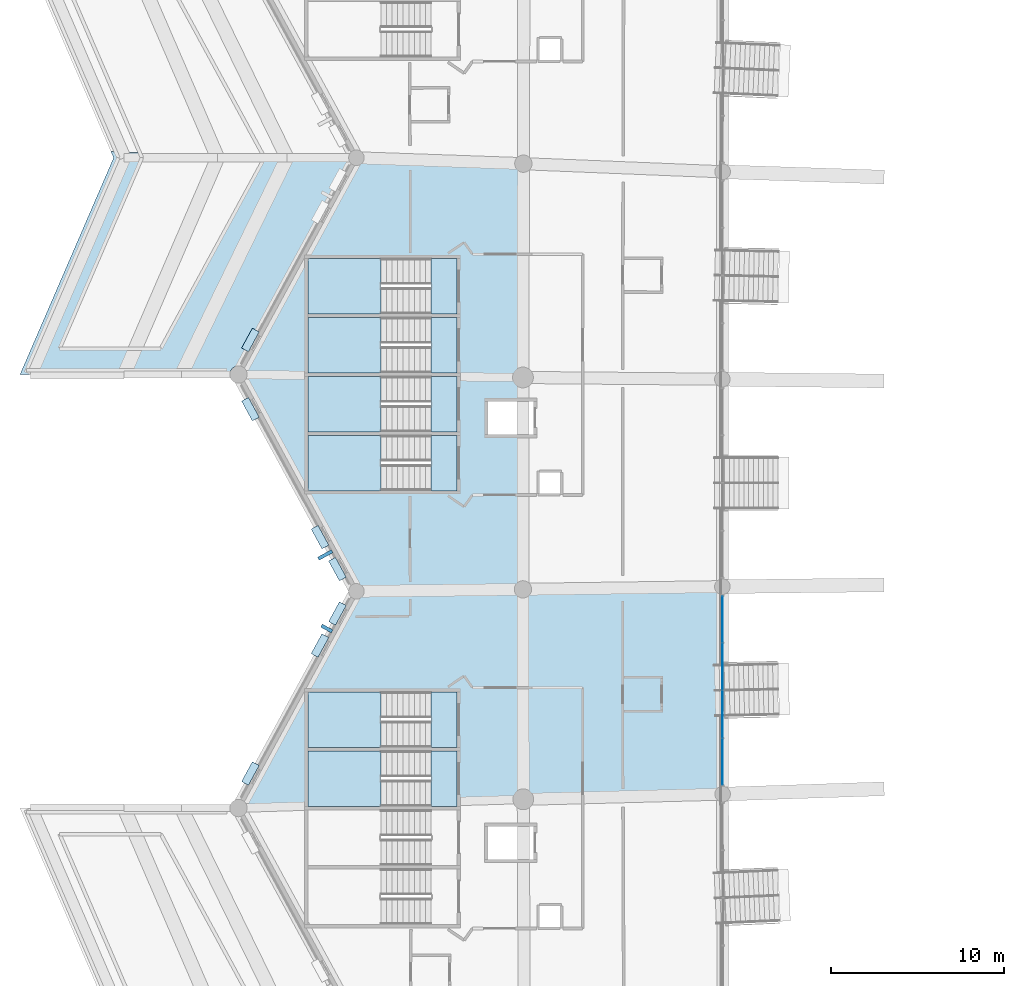
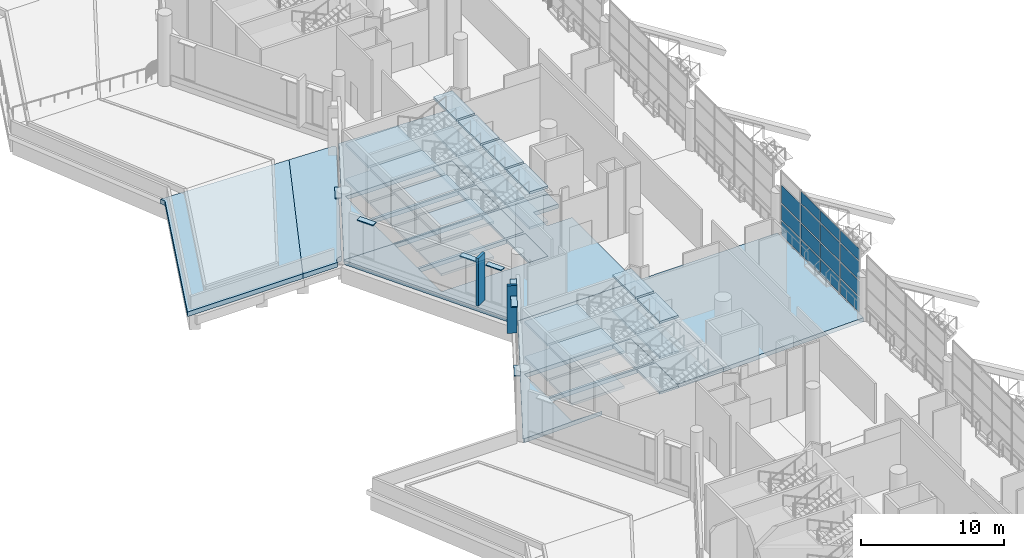
# One storey, part 26 of 173: 36 slabs, 24 plates, 7 elements without a shape of their own.
"""IFC4 building model written with IfcOpenShell, lengths in metres."""

import ifcopenshell
import ifcopenshell.guid

model = None  # the IFC model being written
_history = None  # IfcOwnerHistory: only IFC2X3 demands one
_inside = {}  # id of a spatial element -> (the spatial element, [elements in it])
_under = {}  # id of a project, library or spatial element -> (it, [spatial elements below it])
_declared = {}  # id of a project -> (the project, [libraries it declares])
_typed = {}  # id of a type object -> (the type object, [elements of that type])
_made_of = {}  # id of a material, layer set ... -> (it, [elements and type objects made of it])


def new_model(schema):
    """Start an empty IFC model of exactly this schema.

    Asked for "IFC4X3", IfcOpenShell would pick the latest addendum, in which some entities
    have other attributes; the version numbers below select the first issue.
    IFC2X3 requires an IfcOwnerHistory on every rooted entity: one is made here for all.
    """
    global model, _history
    if schema == "IFC4X3":
        model = ifcopenshell.file(schema_version=(4, 3, 0, 0))
    else:
        model = ifcopenshell.file(schema=schema)
    _inside.clear()
    _under.clear()
    _declared.clear()
    _typed.clear()
    _made_of.clear()
    _history = None
    if model.schema == "IFC2X3":
        org = make("IfcOrganization", Name="unknown")
        user = make(
            "IfcPersonAndOrganization",
            ThePerson=make("IfcPerson", FamilyName="unknown"),
            TheOrganization=org,
        )
        app = make(
            "IfcApplication",
            ApplicationDeveloper=org,
            Version="unknown",
            ApplicationFullName="unknown",
            ApplicationIdentifier="unknown",
        )
        _history = make(
            "IfcOwnerHistory",
            OwningUser=user,
            OwningApplication=app,
            ChangeAction="ADDED",
            CreationDate=0,
        )
    return model


def make(cls, **values):
    """One entity of the class cls with the attributes given. An attribute that is None is left unset."""
    return model.create_entity(
        cls, **{name: value for name, value in values.items() if value is not None}
    )


def rooted(cls, **values):
    """An entity with a GlobalId (a new one), such as an element, a storey or a relation."""
    return make(cls, GlobalId=ifcopenshell.guid.new(), OwnerHistory=_history, **values)


def si_unit(unit_type, name, prefix=None):
    """IfcSIUnit, for example si_unit("LENGTHUNIT", "METRE", prefix="MILLI")."""
    return make("IfcSIUnit", UnitType=unit_type, Prefix=prefix, Name=name)


def assignment(units):
    """IfcUnitAssignment: the units of a project."""
    return None if units is None else make("IfcUnitAssignment", Units=units)


def point(xyz):
    """IfcCartesianPoint."""
    return None if xyz is None else make("IfcCartesianPoint", Coordinates=xyz)


def direction(xyz):
    """IfcDirection."""
    return None if xyz is None else make("IfcDirection", DirectionRatios=xyz)


def frame(location, z_axis=None, x_axis=None):
    """IfcAxis2Placement3D, a coordinate frame: its origin and axes. An axis left out is left unset."""
    return make(
        "IfcAxis2Placement3D",
        Location=point(location),
        Axis=direction(z_axis),
        RefDirection=direction(x_axis),
    )


def frame_2d(location, x_axis=None):
    """IfcAxis2Placement2D, a coordinate frame in the plane: its origin and x axis."""
    return make(
        "IfcAxis2Placement2D", Location=point(location), RefDirection=direction(x_axis)
    )


def origin():
    """The frame at (0, 0, 0) with its axes left unset."""
    return frame((0.0, 0.0, 0.0))


def origin_2d():
    """The frame at (0, 0) in the plane with its x axis left unset."""
    return frame_2d((0.0, 0.0))


def place(relative_to, where):
    """IfcLocalPlacement: puts the frame where relative to a parent placement (None: the world)."""
    return make(
        "IfcLocalPlacement", PlacementRelTo=relative_to, RelativePlacement=where
    )


def context(
    kind, dimensions, precision=None, world=None, true_north=None, identifier=None
):
    """IfcGeometricRepresentationContext, for example the 3D "Model" context."""
    return make(
        "IfcGeometricRepresentationContext",
        ContextIdentifier=identifier,
        ContextType=kind,
        CoordinateSpaceDimension=dimensions,
        Precision=precision,
        WorldCoordinateSystem=world,
        TrueNorth=true_north,
    )


def subcontext(parent, identifier, kind, view, scale=None):
    """IfcGeometricRepresentationSubContext, for example "Body" below "Model"."""
    return make(
        "IfcGeometricRepresentationSubContext",
        ContextIdentifier=identifier,
        ContextType=kind,
        ParentContext=parent,
        TargetScale=scale,
        TargetView=view,
    )


def project(units=None, contexts=None):
    """IfcProject with its units and contexts."""
    return rooted(
        "IfcProject",
        Name="project",
        RepresentationContexts=contexts,
        UnitsInContext=assignment(units),
    )


def spatial(cls, under=None, at=None, **own):
    """A site, building, storey or space (cls), placed at a placement, below another one or the project."""
    s = rooted(cls, ObjectPlacement=at, **own)
    if under is not None:
        _under.setdefault(under.id(), (under, []))[1].append(s)
    return s


def polyline(points):
    """IfcPolyline through the points."""
    return make("IfcPolyline", Points=[point(p) for p in points])


def profile(cls, at=None, kind="AREA", **sizes):
    """A parametric profile (cls). Its sizes go by their IFC names, for example OverallWidth=200.0."""
    return make(cls, ProfileType=kind, Position=at, **sizes)


def rectangle(**sizes):
    """IfcRectangleProfileDef."""
    return profile("IfcRectangleProfileDef", **sizes)


def outline(outer, holes=None, kind="AREA"):
    """IfcArbitraryClosedProfileDef: a profile drawn as a closed curve; with holes, ...WithVoids."""
    if holes is None:
        return make("IfcArbitraryClosedProfileDef", ProfileType=kind, OuterCurve=outer)
    return make(
        "IfcArbitraryProfileDefWithVoids",
        ProfileType=kind,
        OuterCurve=outer,
        InnerCurves=holes,
    )


def extrude(swept, where, along, depth):
    """IfcExtrudedAreaSolid: the profile swept, set in the frame where, extruded along a direction by depth."""
    return make(
        "IfcExtrudedAreaSolid",
        SweptArea=swept,
        Position=where,
        ExtrudedDirection=direction(along),
        Depth=depth,
    )


def shape(context_of_items, identifier, shape_type, items):
    """IfcShapeRepresentation: the items that make up one representation, for example the "Body"."""
    return make(
        "IfcShapeRepresentation",
        ContextOfItems=context_of_items,
        RepresentationIdentifier=identifier,
        RepresentationType=shape_type,
        Items=items,
    )


def material(Name=None, Category=None):
    """IfcMaterial."""
    return make("IfcMaterial", Name=Name, Category=Category)


def layer(
    of_material, thickness, ventilated=None, Name=None, Category=None, Priority=None
):
    """IfcMaterialLayer: one layer of a wall or slab, of a material (None: an air gap)."""
    return make(
        "IfcMaterialLayer",
        Material=of_material,
        LayerThickness=thickness,
        IsVentilated=ventilated,
        Name=Name,
        Category=Category,
        Priority=Priority,
    )


def layer_set(layers, Name=None):
    """IfcMaterialLayerSet."""
    return make("IfcMaterialLayerSet", MaterialLayers=layers, LayerSetName=Name)


def made_of(thing, what):
    """Note that an element or type object is made of a material, layer set ...; save() writes the relation."""
    if what is not None:
        _made_of.setdefault(what.id(), (what, []))[1].append(thing)
    return thing


def type_object(cls, material=None, **own):
    """A type object (cls), such as IfcWallType, which elements share."""
    return made_of(rooted(cls, **own), material)


def element(
    cls,
    number,
    at=None,
    inside=None,
    cuts=None,
    type_object=None,
    material=None,
    context=None,
    identifier="Body",
    shape_type=None,
    held_by="IfcProductDefinitionShape",
    body=None,
    shapes=None,
    **own,
):
    """One element of the class cls, such as IfcWall. Its Tag is "e" and its number.

    at: its placement. inside: the storey or other place that contains it. cuts: it is an
    opening in that element (IfcRelVoidsElement). A single representation is given by context,
    identifier, shape_type and body (its items); several are given by shapes. held_by: the class
    of the entity that holds the representations. save() writes the other relations.
    """
    e = rooted(cls, Tag="e%d" % number, ObjectPlacement=at, **own)
    if body is not None:
        shapes = [shape(context, identifier, shape_type, body)]
    if shapes is not None:
        e.Representation = make(held_by, Representations=shapes)
    if inside is not None:
        _inside.setdefault(inside.id(), (inside, []))[1].append(e)
    if cuts is not None:
        rooted(
            "IfcRelVoidsElement", RelatingBuildingElement=cuts, RelatedOpeningElement=e
        )
    if type_object is not None:
        _typed.setdefault(type_object.id(), (type_object, []))[1].append(e)
    return made_of(e, material)


def aggregate(whole, parts):
    """IfcRelAggregates: a whole, such as a stair, and the parts it consists of."""
    return rooted("IfcRelAggregates", RelatingObject=whole, RelatedObjects=parts)


def save(model, path):
    """Write the relations noted so far, then the file.

    IfcRelAggregates (storeys below a building ...), IfcRelContainedInSpatialStructure (elements
    in a storey), IfcRelDefinesByType, IfcRelAssociatesMaterial and IfcRelDeclares: one each for
    every whole, place, type object, material and project.
    """
    for whole, parts in _under.values():
        aggregate(whole, parts)
    for where, things in _inside.values():
        rooted(
            "IfcRelContainedInSpatialStructure",
            RelatedElements=things,
            RelatingStructure=where,
        )
    for kind, things in _typed.values():
        rooted("IfcRelDefinesByType", RelatedObjects=things, RelatingType=kind)
    for what, things in _made_of.values():
        rooted("IfcRelAssociatesMaterial", RelatedObjects=things, RelatingMaterial=what)
    for by, libraries in _declared.values():
        rooted("IfcRelDeclares", RelatingContext=by, RelatedDefinitions=libraries)
    model.write(path)


model = new_model("IFC4")

# Units and contexts
model_context = context("Model", 3, precision=1e-05, world=origin(), true_north=direction((0.0, 1.0)))
body_context = subcontext(model_context, "Body", "Model", "MODEL_VIEW")
ifc_project = project(units=[si_unit("LENGTHUNIT", "METRE"), si_unit("AREAUNIT", "SQUARE_METRE"), si_unit("VOLUMEUNIT", "CUBIC_METRE"), si_unit("PLANEANGLEUNIT", "RADIAN"), si_unit("MASSUNIT", "GRAM", prefix="KILO")], contexts=[model_context])

# Site, building, storey
site_placement = place(None, origin())
site = spatial("IfcSite", under=ifc_project, at=site_placement, CompositionType="ELEMENT")
building_placement = place(site_placement, origin())
building = spatial("IfcBuilding", under=site, at=building_placement, Name="Meseta Stadium", CompositionType="ELEMENT")
storey_placement = place(building_placement, frame((0.0, 0.0, 18.0)))
storey = spatial("IfcBuildingStorey", under=building, at=storey_placement, Name="L03", CompositionType="ELEMENT", Elevation=18.0)

# Curtain wall, plates
ifc_material_1 = material(Name="Aluminium", Category="aluminium")
ifc_layer_1 = layer(ifc_material_1, 0.25)
ifc_layer_set_1 = layer_set([ifc_layer_1], Name="Media Centre glazing curtain wall")
curtain_wall_type = type_object("IfcCurtainWallType", Name="Media Centre glazing curtain wall", PredefinedType="NOTDEFINED", material=ifc_layer_set_1)
curtain_wall_placement = place(storey_placement, origin())
curtain_wall = element("IfcCurtainWall", 1, at=curtain_wall_placement, inside=storey, type_object=curtain_wall_type, Name="Media Centre glazing bay 33", PredefinedType="NOTDEFINED")
ifc_material_2 = material(Name="Glass", Category="glass")
ifc_layer_2 = layer(ifc_material_2, 0.028076171875)
ifc_layer_set_2 = layer_set([ifc_layer_2], Name="CW glass panel 28")
plate_type_1 = type_object("IfcPlateType", Name="CW glass panel 28", PredefinedType="CURTAIN_PANEL", material=ifc_layer_set_2)
plate_1_placement = place(storey_placement, frame((-73.49560546875, -7.850830078125, 0.1201171875), z_axis=(0.0, 0.0, 1.0), x_axis=(0.001305425729, -0.999999147931, 0.0)))
plate_1 = element("IfcPlate", 2, at=plate_1_placement, type_object=plate_type_1, Name="CWM panel 1.1", PredefinedType="CURTAIN_PANEL", context=body_context, shape_type="SweptSolid", body=[
    extrude(rectangle(XDim=2.6611328125, YDim=0.028076171875, at=origin_2d()), origin(), (0.0, 0.0, 1.0), 1.232421875),
])
plate_2_placement = place(storey_placement, frame((-73.49560546875, -7.850830078125, 1.472412109375), z_axis=(0.0, 0.0, 1.0), x_axis=(0.001305425729, -0.999999147931, 0.0)))
plate_2 = element("IfcPlate", 3, at=plate_2_placement, type_object=plate_type_1, Name="CWM panel 1.2", PredefinedType="CURTAIN_PANEL", context=body_context, shape_type="SweptSolid", body=[
    extrude(rectangle(XDim=2.6611328125, YDim=0.028076171875, at=origin_2d()), origin(), (0.0, 0.0, 1.0), 1.29248046875),
])
plate_3_placement = place(storey_placement, frame((-73.49560546875, -7.850830078125, 2.884765625), z_axis=(0.0, 0.0, 1.0), x_axis=(0.001305425729, -0.999999147931, 0.0)))
plate_3 = element("IfcPlate", 4, at=plate_3_placement, type_object=plate_type_1, Name="CWM panel 1.3", PredefinedType="CURTAIN_PANEL", context=body_context, shape_type="SweptSolid", body=[
    extrude(rectangle(XDim=2.6611328125, YDim=0.028076171875, at=origin_2d()), origin(), (0.0, 0.0, 1.0), 1.522705078125),
])
plate_4_placement = place(storey_placement, frame((-73.491943359375, -10.586669921875, 0.1201171875), z_axis=(0.0, 0.0, 1.0), x_axis=(0.001305425729, -0.999999147931, 0.0)))
plate_4 = element("IfcPlate", 5, at=plate_4_placement, type_object=plate_type_1, Name="CWM panel 2.1", PredefinedType="CURTAIN_PANEL", context=body_context, shape_type="SweptSolid", body=[
    extrude(rectangle(XDim=2.69091796875, YDim=0.028076171875, at=origin_2d()), origin(), (0.0, 0.0, 1.0), 1.232421875),
])
plate_5_placement = place(storey_placement, frame((-73.491943359375, -10.586669921875, 1.472412109375), z_axis=(0.0, 0.0, 1.0), x_axis=(0.001305425729, -0.999999147931, 0.0)))
plate_5 = element("IfcPlate", 6, at=plate_5_placement, type_object=plate_type_1, Name="CWM panel 2.2", PredefinedType="CURTAIN_PANEL", context=body_context, shape_type="SweptSolid", body=[
    extrude(rectangle(XDim=2.69091796875, YDim=0.028076171875, at=origin_2d()), origin(), (0.0, 0.0, 1.0), 1.29248046875),
])
plate_6_placement = place(storey_placement, frame((-73.491943359375, -10.586669921875, 2.884765625), z_axis=(0.0, 0.0, 1.0), x_axis=(0.001305425729, -0.999999147931, 0.0)))
plate_6 = element("IfcPlate", 7, at=plate_6_placement, type_object=plate_type_1, Name="CWM panel 2.3", PredefinedType="CURTAIN_PANEL", context=body_context, shape_type="SweptSolid", body=[
    extrude(rectangle(XDim=2.69091796875, YDim=0.028076171875, at=origin_2d()), origin(), (0.0, 0.0, 1.0), 1.522705078125),
])
plate_7_placement = place(storey_placement, frame((-73.491943359375, -10.586669921875, 4.52783203125), z_axis=(0.0, 0.0, 1.0), x_axis=(0.001305425729, -0.999999147931, 0.0)))
plate_7 = element("IfcPlate", 8, at=plate_7_placement, type_object=plate_type_1, Name="CWM panel 2.4", PredefinedType="CURTAIN_PANEL", context=body_context, shape_type="SweptSolid", body=[
    extrude(rectangle(XDim=2.69091796875, YDim=0.028076171875, at=origin_2d()), origin(), (0.0, 0.0, 1.0), 1.002197265625),
])
plate_8_placement = place(storey_placement, frame((-73.488525390625, -13.337890625, 0.1201171875), z_axis=(0.0, 0.0, 1.0), x_axis=(0.001305425729, -0.999999147931, 0.0)))
plate_8 = element("IfcPlate", 9, at=plate_8_placement, type_object=plate_type_1, Name="CWM panel 3.1", PredefinedType="CURTAIN_PANEL", context=body_context, shape_type="SweptSolid", body=[
    extrude(rectangle(XDim=2.69091796875, YDim=0.028076171875, at=origin_2d()), origin(), (0.0, 0.0, 1.0), 1.232421875),
])
plate_9_placement = place(storey_placement, frame((-73.488525390625, -13.337890625, 1.472412109375), z_axis=(0.0, 0.0, 1.0), x_axis=(0.001305425729, -0.999999147931, 0.0)))
plate_9 = element("IfcPlate", 10, at=plate_9_placement, type_object=plate_type_1, Name="CWM panel 3.2", PredefinedType="CURTAIN_PANEL", context=body_context, shape_type="SweptSolid", body=[
    extrude(rectangle(XDim=2.69091796875, YDim=0.028076171875, at=origin_2d()), origin(), (0.0, 0.0, 1.0), 1.29248046875),
])
plate_10_placement = place(storey_placement, frame((-73.488525390625, -13.337890625, 2.884765625), z_axis=(0.0, 0.0, 1.0), x_axis=(0.001305425729, -0.999999147931, 0.0)))
plate_10 = element("IfcPlate", 11, at=plate_10_placement, type_object=plate_type_1, Name="CWM panel 3.3", PredefinedType="CURTAIN_PANEL", context=body_context, shape_type="SweptSolid", body=[
    extrude(rectangle(XDim=2.69091796875, YDim=0.028076171875, at=origin_2d()), origin(), (0.0, 0.0, 1.0), 1.522705078125),
])
plate_11_placement = place(storey_placement, frame((-73.488525390625, -13.337890625, 4.52783203125), z_axis=(0.0, 0.0, 1.0), x_axis=(0.001305425729, -0.999999147931, 0.0)))
plate_11 = element("IfcPlate", 12, at=plate_11_placement, type_object=plate_type_1, Name="CWM panel 3.4", PredefinedType="CURTAIN_PANEL", context=body_context, shape_type="SweptSolid", body=[
    extrude(rectangle(XDim=2.69091796875, YDim=0.028076171875, at=origin_2d()), origin(), (0.0, 0.0, 1.0), 1.002197265625),
])
plate_12_placement = place(storey_placement, frame((-73.48486328125, -16.07373046875, 0.1201171875), z_axis=(0.0, 0.0, 1.0), x_axis=(0.001305425729, -0.999999147931, 0.0)))
plate_12 = element("IfcPlate", 13, at=plate_12_placement, type_object=plate_type_1, Name="CWM panel 4.1", PredefinedType="CURTAIN_PANEL", context=body_context, shape_type="SweptSolid", body=[
    extrude(rectangle(XDim=2.6611328125, YDim=0.028076171875, at=origin_2d()), origin(), (0.0, 0.0, 1.0), 1.232421875),
])
plate_13_placement = place(storey_placement, frame((-73.48486328125, -16.07373046875, 1.472412109375), z_axis=(0.0, 0.0, 1.0), x_axis=(0.001305425729, -0.999999147931, 0.0)))
plate_13 = element("IfcPlate", 14, at=plate_13_placement, type_object=plate_type_1, Name="CWM panel 4.2", PredefinedType="CURTAIN_PANEL", context=body_context, shape_type="SweptSolid", body=[
    extrude(rectangle(XDim=2.6611328125, YDim=0.028076171875, at=origin_2d()), origin(), (0.0, 0.0, 1.0), 1.29248046875),
])
plate_14_placement = place(storey_placement, frame((-73.48486328125, -16.07373046875, 2.884765625), z_axis=(0.0, 0.0, 1.0), x_axis=(0.001305425729, -0.999999147931, 0.0)))
plate_14 = element("IfcPlate", 15, at=plate_14_placement, type_object=plate_type_1, Name="CWM panel 4.3", PredefinedType="CURTAIN_PANEL", context=body_context, shape_type="SweptSolid", body=[
    extrude(rectangle(XDim=2.6611328125, YDim=0.028076171875, at=origin_2d()), origin(), (0.0, 0.0, 1.0), 1.522705078125),
])
plate_15_placement = place(storey_placement, frame((-73.48486328125, -16.07373046875, 4.52783203125), z_axis=(0.0, 0.0, 1.0), x_axis=(0.001305425729, -0.999999147931, 0.0)))
plate_15 = element("IfcPlate", 16, at=plate_15_placement, type_object=plate_type_1, Name="CWM panel 4.4", PredefinedType="CURTAIN_PANEL", context=body_context, shape_type="SweptSolid", body=[
    extrude(rectangle(XDim=2.6611328125, YDim=0.028076171875, at=origin_2d()), origin(), (0.0, 0.0, 1.0), 1.002197265625),
])
aggregate(curtain_wall, [plate_1, plate_2, plate_3, plate_4, plate_5, plate_6, plate_7, plate_8, plate_9, plate_10, plate_11, plate_12, plate_13, plate_14, plate_15])

# Slabs
ifc_material_3 = material(Name="Concrete C40/50", Category="concrete")
ifc_layer_3 = layer(ifc_material_3, 0.35009765625)
ifc_layer_set_3 = layer_set([ifc_layer_3], Name="Floor slab 350")
slab_type_1 = type_object("IfcSlabType", Name="Floor slab 350", PredefinedType="FLOOR", material=ifc_layer_set_3)
slab_1_placement = place(storey_placement, frame((0.0, 0.0, -0.35009765625)))
element("IfcSlab", 17, at=slab_1_placement, inside=storey, type_object=slab_type_1, Name="Floor slab L03 sector 28 panel 01", PredefinedType="FLOOR", context=body_context, shape_type="SweptSolid", body=[
    extrude(outline(polyline([(-88.8798828125, 6.14990234375), (-101.3798828125, 6.287109375), (-101.39990234375, 6.25), (-94.6201171875, -6.212890625), (-84.9970703125, -6.107421875), (-84.997314453125, 2.800048828125), (-87.0, 2.800048828125), (-87.0, 4.699951171875), (-84.99755859375, 4.699951171875), (-84.99755859375, 6.107421875), (-88.800048828125, 6.149169921875), (-88.800048828125, 2.949951171875), (-97.39990234375, 2.949951171875), (-97.39990234375, 6.14990234375), (-88.8798828125, 6.14990234375)]), holes=[polyline([(-88.800048828125, 2.75), (-88.800048828125, -0.449951171875), (-97.39990234375, -0.449951171875), (-97.39990234375, 2.75), (-88.800048828125, 2.75)])]), origin(), (0.0, 0.0, 1.0), 0.35009765625),
])
slab_2_placement = place(storey_placement, frame((0.0, 0.0, -0.35009765625)))
element("IfcSlab", 18, at=slab_2_placement, inside=storey, type_object=slab_type_1, Name="Floor slab L03 sector 28 panel 05", PredefinedType="FLOOR", context=body_context, shape_type="SweptSolid", body=[
    extrude(outline(polyline([(-84.9970703125, -6.107421875), (-94.6201171875, -6.212890625), (-94.60009765625, -6.25), (-101.39990234375, -18.75), (-101.340087890625, -18.85986328125), (-94.9599609375, -18.64990234375), (-97.39990234375, -18.64990234375), (-97.39990234375, -15.449951171875), (-88.800048828125, -15.449951171875), (-88.800048828125, -18.447509765625), (-84.978515625, -18.32177734375), (-84.9970703125, -6.107421875)]), holes=[polyline([(-88.800048828125, -12.050048828125), (-88.800048828125, -15.25), (-97.39990234375, -15.25), (-97.39990234375, -12.050048828125), (-88.800048828125, -12.050048828125)])]), origin(), (0.0, 0.0, 1.0), 0.35009765625),
])
slab_3_placement = place(storey_placement, frame((0.0, 0.0, -0.35009765625)))
element("IfcSlab", 19, at=slab_3_placement, inside=storey, type_object=slab_type_1, Name="Floor slab L03 sector 28 panel 07", PredefinedType="FLOOR", context=body_context, shape_type="SweptSolid", body=[
    extrude(outline(polyline([(-88.800048828125, 6.14990234375), (-88.800048828125, 6.149169921875), (-84.99755859375, 6.107421875), (-84.97314453125, 18.41064453125), (-94.60009765625, 18.75), (-101.3798828125, 6.287109375), (-88.8798828125, 6.14990234375), (-88.800048828125, 6.14990234375)]), holes=[polyline([(-88.800048828125, 6.35009765625), (-97.39990234375, 6.35009765625), (-97.39990234375, 9.550048828125), (-88.800048828125, 9.550048828125), (-88.800048828125, 6.35009765625)]), polyline([(-88.800048828125, 9.75), (-97.39990234375, 9.75), (-97.39990234375, 12.949951171875), (-88.800048828125, 12.949951171875), (-88.800048828125, 9.75)])]), origin(), (0.0, 0.0, 1.0), 0.35009765625),
])
slab_4_placement = place(storey_placement, frame((0.0, 0.0, -0.35009765625)))
element("IfcSlab", 20, at=slab_4_placement, inside=storey, type_object=slab_type_1, Name="Floor slab L03 sector 28 panel 09", PredefinedType="FLOOR", context=body_context, shape_type="SweptSolid", body=[
    extrude(outline(polyline([(-73.482421875, -17.943603515625), (-73.489501953125, -13.956298828125), (-73.498046875, -5.981201171875), (-84.9970703125, -6.107421875), (-84.978271484375, -18.32177734375), (-73.482421875, -17.943603515625)])), origin(), (0.0, 0.0, 1.0), 0.35009765625),
])

# Plates
ifc_material_4 = material(Name="White precast concrete C40/50", Category="concrete")
ifc_layer_4 = layer(ifc_material_4, 0.080078125)
ifc_layer_set_4 = layer_set([ifc_layer_4], Name="Louvre hood 1300x450")
plate_type_2 = type_object("IfcPlateType", Name="Louvre hood 1300x450", PredefinedType="USERDEFINED", material=ifc_layer_set_4)
for number, where, z_axis, x_axis, name in (
    (21, (-100.713623046875, 8.244384765625, 4.25), (0.0, 0.0, 1.0), (-0.477867090202, -0.878432151109, 0.0), "Louvre hood L03 F31"),
    (22, (-95.696044921875, -4.9677734375, 4.25), (0.0, 0.0, 1.0), (0.477867090202, -0.878432151109, 0.0), "Louvre hood L03 F32"),
    (23, (-96.699462890625, -3.123046875, 4.25), (0.0, 0.0, 1.0), (0.477867090202, -0.878432151109, 0.0), "Louvre hood L03 F32"),
    (24, (-100.713623046875, 4.255615234375, 4.25), (0.0, 0.0, 1.0), (0.477867090202, -0.878432151109, 0.0), "Louvre hood L03 F32"),
    (25, (-95.696044921875, -7.5322265625, 4.25), (0.0, 0.0, 1.0), (-0.477867090202, -0.878432151109, 0.0), "Louvre hood L03 F33"),
    (26, (-96.699462890625, -9.376953125, 4.25), (0.0, 0.0, 1.0), (-0.477867090202, -0.878432151109, 0.0), "Louvre hood L03 F33"),
    (27, (-100.713623046875, -16.755615234375, 4.25), (0.0, 0.0, 1.0), (-0.477867090202, -0.878432151109, 0.0), "Louvre hood L03 F33"),
):
    element("IfcPlate", number, at=place(storey_placement, frame(where, z_axis=z_axis, x_axis=x_axis)), inside=storey, type_object=plate_type_2, Name=name, ObjectType="LOUVRE", PredefinedType="USERDEFINED", context=body_context, shape_type="SweptSolid", body=[
        extrude(rectangle(XDim=1.300048828125, YDim=0.449951171875, at=origin_2d()), origin(), (0.0, 0.0, 1.0), 0.080078125),
    ])
ifc_material_5 = material(Name="Precast concrete C40/50, terracotta pigment", Category="masonry")
ifc_layer_5 = layer(ifc_material_5, 0.199951171875)
ifc_layer_set_5 = layer_set([ifc_layer_5], Name="Precast concrete C40/50, terracotta pigment")
plate_type_3 = type_object("IfcPlateType", Name="Precast fin 200x700", PredefinedType="USERDEFINED", material=ifc_layer_set_5)
plate_16_placement = place(storey_placement, frame((-96.3076171875, -8.394775390625, 0.9501953125), z_axis=(0.0, 0.0, 1.0), x_axis=(0.47786723231, 0.878432073802, 0.0)))
element("IfcPlate", 28, at=plate_16_placement, inside=storey, type_object=plate_type_3, Name="Precast fin L03 F33.2", ObjectType="FIN", PredefinedType="USERDEFINED", context=body_context, shape_type="SweptSolid", body=[
    extrude(rectangle(XDim=0.199951171875, YDim=0.699951171875, at=origin_2d()), origin(), (0.0, 0.0, 1.0), 4.050048828125),
])
ifc_material_6 = material(Name="Precast concrete C40/50, terracotta pigment", Category="masonry")
ifc_layer_6 = layer(ifc_material_6, 0.199951171875)
ifc_layer_set_6 = layer_set([ifc_layer_6], Name="Precast concrete C40/50, terracotta pigment")
plate_type_4 = type_object("IfcPlateType", Name="Precast fin 200x900", PredefinedType="USERDEFINED", material=ifc_layer_set_6)
plate_17_placement = place(storey_placement, frame((-96.395263671875, -4.153076171875, 0.9501953125), z_axis=(0.0, 0.0, 1.0), x_axis=(-0.47786723231, 0.878432073802, 0.0)))
element("IfcPlate", 29, at=plate_17_placement, inside=storey, type_object=plate_type_4, Name="Precast fin L03 F32.1", ObjectType="FIN", PredefinedType="USERDEFINED", context=body_context, shape_type="SweptSolid", body=[
    extrude(rectangle(XDim=0.199951171875, YDim=0.89990234375, at=origin_2d()), origin(), (0.0, 0.0, 1.0), 4.050048828125),
])

# Slabs
ifc_material_7 = material(Name="Concrete C40/50", Category="concrete")
ifc_layer_7 = layer(ifc_material_7, 0.39990234375)
ifc_layer_set_7 = layer_set([ifc_layer_7], Name="Roof garden slab 400")
slab_type_2 = type_object("IfcSlabType", Name="Roof garden slab 400", PredefinedType="ROOF", material=ifc_layer_set_7)
slab_5_placement = place(storey_placement, frame((0.0, 0.0, -0.39990234375)))
element("IfcSlab", 30, at=slab_5_placement, inside=storey, type_object=slab_type_2, Name="Roof garden slab 4 part 1 panel 01", PredefinedType="ROOF", context=body_context, shape_type="SweptSolid", body=[
    extrude(outline(polyline([(-104.699951171875, 6.25), (-98.590576171875, 18.769287109375), (-108.752685546875, 19.103759765625), (-108.60009765625, 18.75), (-114.0, 6.25), (-104.699951171875, 6.25)])), origin(), (0.0, 0.0, 1.0), 0.39990234375),
])
slab_6_placement = place(storey_placement, frame((0.0, 0.0, -0.39990234375)))
element("IfcSlab", 31, at=slab_6_placement, inside=storey, type_object=slab_type_2, Name="Roof garden slab 4 part 1 panel 05", PredefinedType="ROOF", context=body_context, shape_type="SweptSolid", body=[
    extrude(outline(polyline([(-98.590576171875, 18.769287109375), (-104.699951171875, 6.25), (-101.904296875, 6.25), (-101.88720703125, 6.380615234375), (-101.836669921875, 6.502197265625), (-101.756591796875, 6.606689453125), (-101.652099609375, 6.686767578125), (-101.530517578125, 6.737060546875), (-101.39990234375, 6.75439453125), (-101.30322265625, 6.74169921875), (-94.935302734375, 18.44775390625), (-94.9931640625, 18.523193359375), (-95.038330078125, 18.632568359375), (-95.041015625, 18.652587890625), (-98.590576171875, 18.769287109375)])), origin(), (0.0, 0.0, 1.0), 0.39990234375),
])

# Stair, slabs
ifc_material_8 = material(Name="Concrete C40/50", Category="concrete")
stair_type = type_object("IfcStairType", Name="Exit stair 4 flights 150 mm risers", PredefinedType="HALF_TURN_STAIR", material=ifc_material_8)
stair_1_placement = place(storey_placement, origin())
stair_1 = element("IfcStair", 32, at=stair_1_placement, inside=storey, type_object=stair_type, Name="ST65 L03", PredefinedType="HALF_TURN_STAIR")
ifc_material_9 = material(Name="Concrete C40/50", Category="concrete")
ifc_layer_8 = layer(ifc_material_9, 0.199951171875)
ifc_layer_set_8 = layer_set([ifc_layer_8], Name="Stair landing 200")
slab_type_3 = type_object("IfcSlabType", Name="Stair landing 200", PredefinedType="LANDING", material=ifc_layer_set_8)
slab_7_placement = place(storey_placement, frame((0.0, 0.0, 1.300048828125)))
slab_7 = element("IfcSlab", 33, at=slab_7_placement, type_object=slab_type_3, Name="ST65 L03 landing 1", PredefinedType="LANDING", context=body_context, shape_type="SweptSolid", body=[
    extrude(outline(polyline([(-93.169921875, 12.949951171875), (-97.39990234375, 12.949951171875), (-97.39990234375, 9.75), (-93.169921875, 9.75), (-93.169921875, 12.949951171875)])), origin(), (0.0, 0.0, 1.0), 0.199951171875),
])
slab_8_placement = place(storey_placement, frame((0.0, 0.0, 2.800048828125)))
slab_8 = element("IfcSlab", 34, at=slab_8_placement, type_object=slab_type_3, Name="ST65 L03 landing 2", PredefinedType="LANDING", context=body_context, shape_type="SweptSolid", body=[
    extrude(outline(polyline([(-88.800048828125, 12.949951171875), (-90.31005859375, 12.949951171875), (-90.31005859375, 9.75), (-88.800048828125, 9.75), (-88.800048828125, 12.949951171875)])), origin(), (0.0, 0.0, 1.0), 0.199951171875),
])
slab_9_placement = place(storey_placement, frame((0.0, 0.0, 4.300048828125)))
slab_9 = element("IfcSlab", 35, at=slab_9_placement, type_object=slab_type_3, Name="ST65 L03 landing 3", PredefinedType="LANDING", context=body_context, shape_type="SweptSolid", body=[
    extrude(outline(polyline([(-93.169921875, 12.949951171875), (-97.39990234375, 12.949951171875), (-97.39990234375, 9.75), (-93.169921875, 9.75), (-93.169921875, 12.949951171875)])), origin(), (0.0, 0.0, 1.0), 0.199951171875),
])
slab_10_placement = place(storey_placement, frame((0.0, 0.0, -0.199951171875)))
slab_10 = element("IfcSlab", 36, at=slab_10_placement, type_object=slab_type_3, Name="ST65 L03 landing 4", PredefinedType="LANDING", context=body_context, shape_type="SweptSolid", body=[
    extrude(outline(polyline([(-88.800048828125, 12.949951171875), (-90.31005859375, 12.949951171875), (-90.31005859375, 9.75), (-88.800048828125, 9.75), (-88.800048828125, 12.949951171875)])), origin(), (0.0, 0.0, 1.0), 0.199951171875),
])
slab_11_placement = place(storey_placement, frame((0.0, 0.0, 5.800048828125)))
slab_11 = element("IfcSlab", 37, at=slab_11_placement, type_object=slab_type_3, Name="ST65 L03 landing 5", PredefinedType="LANDING", context=body_context, shape_type="SweptSolid", body=[
    extrude(outline(polyline([(-88.800048828125, 12.949951171875), (-90.31005859375, 12.949951171875), (-90.31005859375, 9.75), (-88.800048828125, 9.75), (-88.800048828125, 12.949951171875)])), origin(), (0.0, 0.0, 1.0), 0.199951171875),
])
aggregate(stair_1, [slab_7, slab_8, slab_9, slab_10, slab_11])

stair_2_placement = place(storey_placement, origin())
stair_2 = element("IfcStair", 38, at=stair_2_placement, inside=storey, type_object=stair_type, Name="ST66 L03", PredefinedType="HALF_TURN_STAIR")
slab_12_placement = place(storey_placement, frame((0.0, 0.0, 1.300048828125)))
slab_12 = element("IfcSlab", 39, at=slab_12_placement, type_object=slab_type_3, Name="ST66 L03 landing 1", PredefinedType="LANDING", context=body_context, shape_type="SweptSolid", body=[
    extrude(outline(polyline([(-93.169921875, 9.550048828125), (-97.39990234375, 9.550048828125), (-97.39990234375, 6.35009765625), (-93.169921875, 6.35009765625), (-93.169921875, 9.550048828125)])), origin(), (0.0, 0.0, 1.0), 0.199951171875),
])
slab_13_placement = place(storey_placement, frame((0.0, 0.0, 2.800048828125)))
slab_13 = element("IfcSlab", 40, at=slab_13_placement, type_object=slab_type_3, Name="ST66 L03 landing 2", PredefinedType="LANDING", context=body_context, shape_type="SweptSolid", body=[
    extrude(outline(polyline([(-88.800048828125, 9.550048828125), (-90.31005859375, 9.550048828125), (-90.31005859375, 6.35009765625), (-88.800048828125, 6.35009765625), (-88.800048828125, 9.550048828125)])), origin(), (0.0, 0.0, 1.0), 0.199951171875),
])
slab_14_placement = place(storey_placement, frame((0.0, 0.0, 4.300048828125)))
slab_14 = element("IfcSlab", 41, at=slab_14_placement, type_object=slab_type_3, Name="ST66 L03 landing 3", PredefinedType="LANDING", context=body_context, shape_type="SweptSolid", body=[
    extrude(outline(polyline([(-93.169921875, 9.550048828125), (-97.39990234375, 9.550048828125), (-97.39990234375, 6.35009765625), (-93.169921875, 6.35009765625), (-93.169921875, 9.550048828125)])), origin(), (0.0, 0.0, 1.0), 0.199951171875),
])
slab_15_placement = place(storey_placement, frame((0.0, 0.0, -0.199951171875)))
slab_15 = element("IfcSlab", 42, at=slab_15_placement, type_object=slab_type_3, Name="ST66 L03 landing 4", PredefinedType="LANDING", context=body_context, shape_type="SweptSolid", body=[
    extrude(outline(polyline([(-88.800048828125, 9.550048828125), (-90.31005859375, 9.550048828125), (-90.31005859375, 6.35009765625), (-88.800048828125, 6.35009765625), (-88.800048828125, 9.550048828125)])), origin(), (0.0, 0.0, 1.0), 0.199951171875),
])
slab_16_placement = place(storey_placement, frame((0.0, 0.0, 5.800048828125)))
slab_16 = element("IfcSlab", 43, at=slab_16_placement, type_object=slab_type_3, Name="ST66 L03 landing 5", PredefinedType="LANDING", context=body_context, shape_type="SweptSolid", body=[
    extrude(outline(polyline([(-88.800048828125, 9.550048828125), (-90.31005859375, 9.550048828125), (-90.31005859375, 6.35009765625), (-88.800048828125, 6.35009765625), (-88.800048828125, 9.550048828125)])), origin(), (0.0, 0.0, 1.0), 0.199951171875),
])
aggregate(stair_2, [slab_12, slab_13, slab_14, slab_15, slab_16])

stair_3_placement = place(storey_placement, origin())
stair_3 = element("IfcStair", 44, at=stair_3_placement, inside=storey, type_object=stair_type, Name="ST67 L03", PredefinedType="HALF_TURN_STAIR")
slab_17_placement = place(storey_placement, frame((0.0, 0.0, 1.300048828125)))
slab_17 = element("IfcSlab", 45, at=slab_17_placement, type_object=slab_type_3, Name="ST67 L03 landing 1", PredefinedType="LANDING", context=body_context, shape_type="SweptSolid", body=[
    extrude(outline(polyline([(-93.169921875, 6.14990234375), (-97.39990234375, 6.14990234375), (-97.39990234375, 2.949951171875), (-93.169921875, 2.949951171875), (-93.169921875, 6.14990234375)])), origin(), (0.0, 0.0, 1.0), 0.199951171875),
])
slab_18_placement = place(storey_placement, frame((0.0, 0.0, 2.800048828125)))
slab_18 = element("IfcSlab", 46, at=slab_18_placement, type_object=slab_type_3, Name="ST67 L03 landing 2", PredefinedType="LANDING", context=body_context, shape_type="SweptSolid", body=[
    extrude(outline(polyline([(-88.800048828125, 6.14990234375), (-90.31005859375, 6.14990234375), (-90.31005859375, 2.949951171875), (-88.800048828125, 2.949951171875), (-88.800048828125, 6.14990234375)])), origin(), (0.0, 0.0, 1.0), 0.199951171875),
])
slab_19_placement = place(storey_placement, frame((0.0, 0.0, 4.300048828125)))
slab_19 = element("IfcSlab", 47, at=slab_19_placement, type_object=slab_type_3, Name="ST67 L03 landing 3", PredefinedType="LANDING", context=body_context, shape_type="SweptSolid", body=[
    extrude(outline(polyline([(-93.169921875, 6.14990234375), (-97.39990234375, 6.14990234375), (-97.39990234375, 2.949951171875), (-93.169921875, 2.949951171875), (-93.169921875, 6.14990234375)])), origin(), (0.0, 0.0, 1.0), 0.199951171875),
])
slab_20_placement = place(storey_placement, frame((0.0, 0.0, -0.199951171875)))
slab_20 = element("IfcSlab", 48, at=slab_20_placement, type_object=slab_type_3, Name="ST67 L03 landing 4", PredefinedType="LANDING", context=body_context, shape_type="SweptSolid", body=[
    extrude(outline(polyline([(-88.800048828125, 6.14990234375), (-90.31005859375, 6.14990234375), (-90.31005859375, 2.949951171875), (-88.800048828125, 2.949951171875), (-88.800048828125, 6.14990234375)])), origin(), (0.0, 0.0, 1.0), 0.199951171875),
])
slab_21_placement = place(storey_placement, frame((0.0, 0.0, 5.800048828125)))
slab_21 = element("IfcSlab", 49, at=slab_21_placement, type_object=slab_type_3, Name="ST67 L03 landing 5", PredefinedType="LANDING", context=body_context, shape_type="SweptSolid", body=[
    extrude(outline(polyline([(-88.800048828125, 6.14990234375), (-90.31005859375, 6.14990234375), (-90.31005859375, 2.949951171875), (-88.800048828125, 2.949951171875), (-88.800048828125, 6.14990234375)])), origin(), (0.0, 0.0, 1.0), 0.199951171875),
])
aggregate(stair_3, [slab_17, slab_18, slab_19, slab_20, slab_21])

stair_4_placement = place(storey_placement, origin())
stair_4 = element("IfcStair", 50, at=stair_4_placement, inside=storey, type_object=stair_type, Name="ST68 L03", PredefinedType="HALF_TURN_STAIR")
slab_22_placement = place(storey_placement, frame((0.0, 0.0, 1.300048828125)))
slab_22 = element("IfcSlab", 51, at=slab_22_placement, type_object=slab_type_3, Name="ST68 L03 landing 1", PredefinedType="LANDING", context=body_context, shape_type="SweptSolid", body=[
    extrude(outline(polyline([(-93.169921875, 2.75), (-97.39990234375, 2.75), (-97.39990234375, -0.449951171875), (-93.169921875, -0.449951171875), (-93.169921875, 2.75)])), origin(), (0.0, 0.0, 1.0), 0.199951171875),
])
slab_23_placement = place(storey_placement, frame((0.0, 0.0, 2.800048828125)))
slab_23 = element("IfcSlab", 52, at=slab_23_placement, type_object=slab_type_3, Name="ST68 L03 landing 2", PredefinedType="LANDING", context=body_context, shape_type="SweptSolid", body=[
    extrude(outline(polyline([(-88.800048828125, 2.75), (-90.31005859375, 2.75), (-90.31005859375, -0.449951171875), (-88.800048828125, -0.449951171875), (-88.800048828125, 2.75)])), origin(), (0.0, 0.0, 1.0), 0.199951171875),
])
slab_24_placement = place(storey_placement, frame((0.0, 0.0, 4.300048828125)))
slab_24 = element("IfcSlab", 53, at=slab_24_placement, type_object=slab_type_3, Name="ST68 L03 landing 3", PredefinedType="LANDING", context=body_context, shape_type="SweptSolid", body=[
    extrude(outline(polyline([(-93.169921875, 2.75), (-97.39990234375, 2.75), (-97.39990234375, -0.449951171875), (-93.169921875, -0.449951171875), (-93.169921875, 2.75)])), origin(), (0.0, 0.0, 1.0), 0.199951171875),
])
slab_25_placement = place(storey_placement, frame((0.0, 0.0, -0.199951171875)))
slab_25 = element("IfcSlab", 54, at=slab_25_placement, type_object=slab_type_3, Name="ST68 L03 landing 4", PredefinedType="LANDING", context=body_context, shape_type="SweptSolid", body=[
    extrude(outline(polyline([(-88.800048828125, 2.75), (-90.31005859375, 2.75), (-90.31005859375, -0.449951171875), (-88.800048828125, -0.449951171875), (-88.800048828125, 2.75)])), origin(), (0.0, 0.0, 1.0), 0.199951171875),
])
slab_26_placement = place(storey_placement, frame((0.0, 0.0, 5.800048828125)))
slab_26 = element("IfcSlab", 55, at=slab_26_placement, type_object=slab_type_3, Name="ST68 L03 landing 5", PredefinedType="LANDING", context=body_context, shape_type="SweptSolid", body=[
    extrude(outline(polyline([(-88.800048828125, 2.75), (-90.31005859375, 2.75), (-90.31005859375, -0.449951171875), (-88.800048828125, -0.449951171875), (-88.800048828125, 2.75)])), origin(), (0.0, 0.0, 1.0), 0.199951171875),
])
aggregate(stair_4, [slab_22, slab_23, slab_24, slab_25, slab_26])

stair_5_placement = place(storey_placement, origin())
stair_5 = element("IfcStair", 56, at=stair_5_placement, inside=storey, type_object=stair_type, Name="ST69 L03", PredefinedType="HALF_TURN_STAIR")
slab_27_placement = place(storey_placement, frame((0.0, 0.0, 1.300048828125)))
slab_27 = element("IfcSlab", 57, at=slab_27_placement, type_object=slab_type_3, Name="ST69 L03 landing 1", PredefinedType="LANDING", context=body_context, shape_type="SweptSolid", body=[
    extrude(outline(polyline([(-93.169921875, -12.050048828125), (-97.39990234375, -12.050048828125), (-97.39990234375, -15.25), (-93.169921875, -15.25), (-93.169921875, -12.050048828125)])), origin(), (0.0, 0.0, 1.0), 0.199951171875),
])
slab_28_placement = place(storey_placement, frame((0.0, 0.0, 2.800048828125)))
slab_28 = element("IfcSlab", 58, at=slab_28_placement, type_object=slab_type_3, Name="ST69 L03 landing 2", PredefinedType="LANDING", context=body_context, shape_type="SweptSolid", body=[
    extrude(outline(polyline([(-88.800048828125, -12.050048828125), (-90.31005859375, -12.050048828125), (-90.31005859375, -15.25), (-88.800048828125, -15.25), (-88.800048828125, -12.050048828125)])), origin(), (0.0, 0.0, 1.0), 0.199951171875),
])
slab_29_placement = place(storey_placement, frame((0.0, 0.0, 4.300048828125)))
slab_29 = element("IfcSlab", 59, at=slab_29_placement, type_object=slab_type_3, Name="ST69 L03 landing 3", PredefinedType="LANDING", context=body_context, shape_type="SweptSolid", body=[
    extrude(outline(polyline([(-93.169921875, -12.050048828125), (-97.39990234375, -12.050048828125), (-97.39990234375, -15.25), (-93.169921875, -15.25), (-93.169921875, -12.050048828125)])), origin(), (0.0, 0.0, 1.0), 0.199951171875),
])
slab_30_placement = place(storey_placement, frame((0.0, 0.0, -0.199951171875)))
slab_30 = element("IfcSlab", 60, at=slab_30_placement, type_object=slab_type_3, Name="ST69 L03 landing 4", PredefinedType="LANDING", context=body_context, shape_type="SweptSolid", body=[
    extrude(outline(polyline([(-88.800048828125, -12.050048828125), (-90.31005859375, -12.050048828125), (-90.31005859375, -15.25), (-88.800048828125, -15.25), (-88.800048828125, -12.050048828125)])), origin(), (0.0, 0.0, 1.0), 0.199951171875),
])
slab_31_placement = place(storey_placement, frame((0.0, 0.0, 5.800048828125)))
slab_31 = element("IfcSlab", 61, at=slab_31_placement, type_object=slab_type_3, Name="ST69 L03 landing 5", PredefinedType="LANDING", context=body_context, shape_type="SweptSolid", body=[
    extrude(outline(polyline([(-88.800048828125, -12.050048828125), (-90.31005859375, -12.050048828125), (-90.31005859375, -15.25), (-88.800048828125, -15.25), (-88.800048828125, -12.050048828125)])), origin(), (0.0, 0.0, 1.0), 0.199951171875),
])
aggregate(stair_5, [slab_27, slab_28, slab_29, slab_30, slab_31])

stair_6_placement = place(storey_placement, origin())
stair_6 = element("IfcStair", 62, at=stair_6_placement, inside=storey, type_object=stair_type, Name="ST70 L03", PredefinedType="HALF_TURN_STAIR")
slab_32_placement = place(storey_placement, frame((0.0, 0.0, 1.300048828125)))
slab_32 = element("IfcSlab", 63, at=slab_32_placement, type_object=slab_type_3, Name="ST70 L03 landing 1", PredefinedType="LANDING", context=body_context, shape_type="SweptSolid", body=[
    extrude(outline(polyline([(-93.169921875, -15.449951171875), (-97.39990234375, -15.449951171875), (-97.39990234375, -18.64990234375), (-93.169921875, -18.64990234375), (-93.169921875, -15.449951171875)])), origin(), (0.0, 0.0, 1.0), 0.199951171875),
])
slab_33_placement = place(storey_placement, frame((0.0, 0.0, 2.800048828125)))
slab_33 = element("IfcSlab", 64, at=slab_33_placement, type_object=slab_type_3, Name="ST70 L03 landing 2", PredefinedType="LANDING", context=body_context, shape_type="SweptSolid", body=[
    extrude(outline(polyline([(-88.800048828125, -15.449951171875), (-90.31005859375, -15.449951171875), (-90.31005859375, -18.64990234375), (-88.800048828125, -18.64990234375), (-88.800048828125, -15.449951171875)])), origin(), (0.0, 0.0, 1.0), 0.199951171875),
])
slab_34_placement = place(storey_placement, frame((0.0, 0.0, 4.300048828125)))
slab_34 = element("IfcSlab", 65, at=slab_34_placement, type_object=slab_type_3, Name="ST70 L03 landing 3", PredefinedType="LANDING", context=body_context, shape_type="SweptSolid", body=[
    extrude(outline(polyline([(-93.169921875, -15.449951171875), (-97.39990234375, -15.449951171875), (-97.39990234375, -18.64990234375), (-93.169921875, -18.64990234375), (-93.169921875, -15.449951171875)])), origin(), (0.0, 0.0, 1.0), 0.199951171875),
])
slab_35_placement = place(storey_placement, frame((0.0, 0.0, -0.199951171875)))
slab_35 = element("IfcSlab", 66, at=slab_35_placement, type_object=slab_type_3, Name="ST70 L03 landing 4", PredefinedType="LANDING", context=body_context, shape_type="SweptSolid", body=[
    extrude(outline(polyline([(-88.800048828125, -15.449951171875), (-90.31005859375, -15.449951171875), (-90.31005859375, -18.64990234375), (-88.800048828125, -18.64990234375), (-88.800048828125, -15.449951171875)])), origin(), (0.0, 0.0, 1.0), 0.199951171875),
])
slab_36_placement = place(storey_placement, frame((0.0, 0.0, 5.800048828125)))
slab_36 = element("IfcSlab", 67, at=slab_36_placement, type_object=slab_type_3, Name="ST70 L03 landing 5", PredefinedType="LANDING", context=body_context, shape_type="SweptSolid", body=[
    extrude(outline(polyline([(-88.800048828125, -15.449951171875), (-90.31005859375, -15.449951171875), (-90.31005859375, -18.64990234375), (-88.800048828125, -18.64990234375), (-88.800048828125, -15.449951171875)])), origin(), (0.0, 0.0, 1.0), 0.199951171875),
])
aggregate(stair_6, [slab_32, slab_33, slab_34, slab_35, slab_36])

save(model, "model.ifc")
